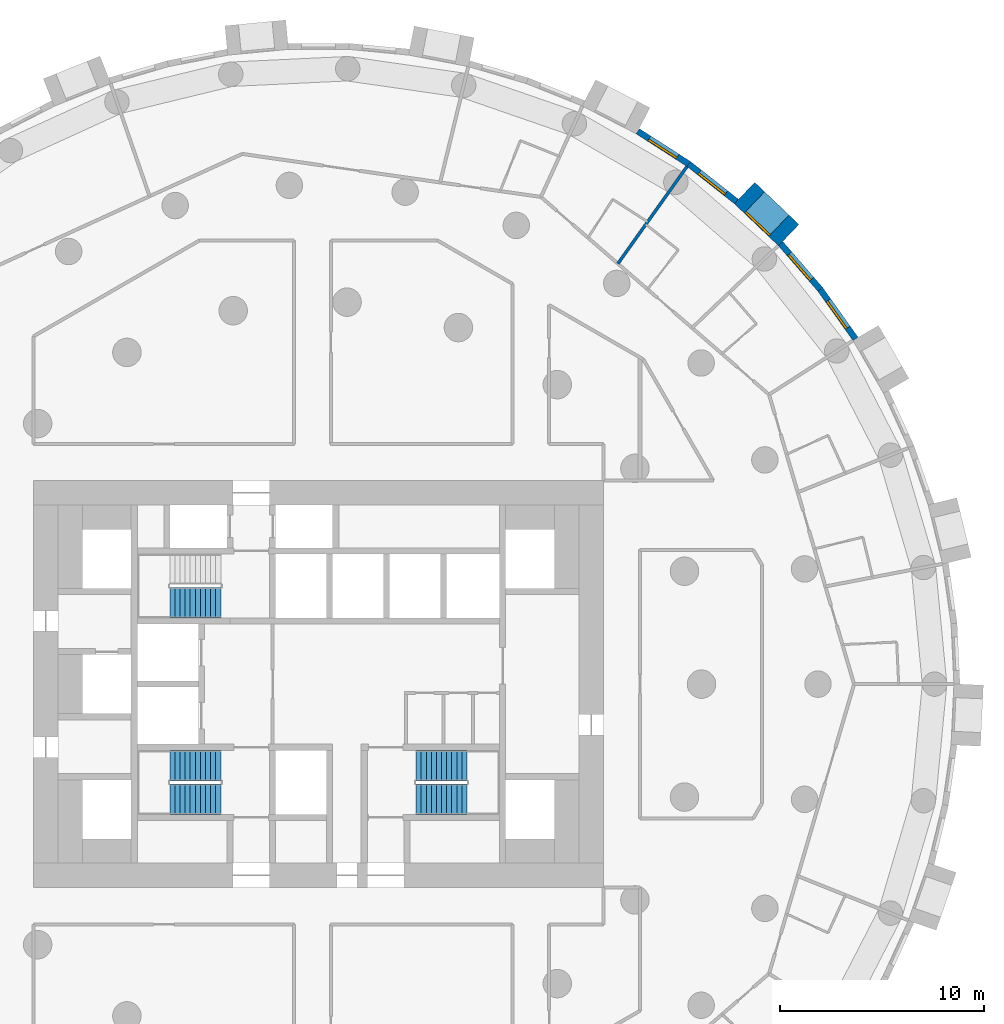
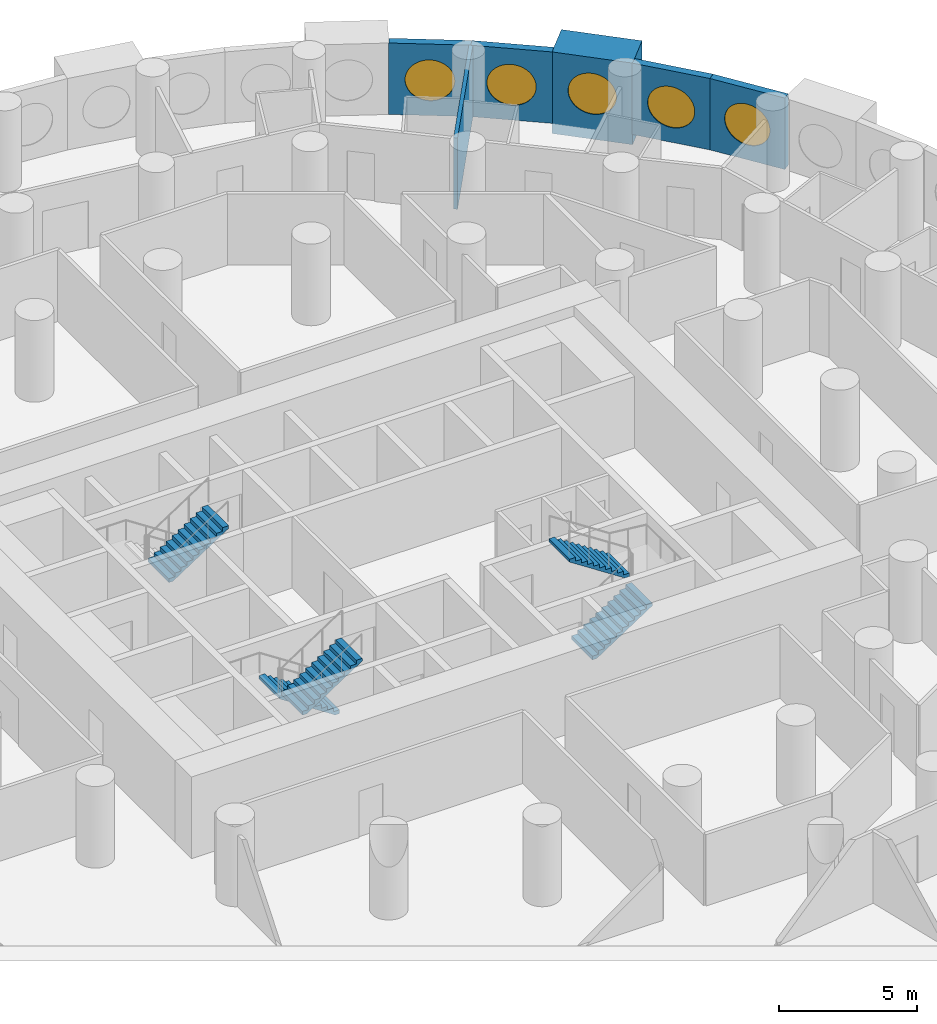
# One storey, part 10 of 12: 6 walls, 5 stair flights, 5 windows, 5 openings, 3 elements without a shape of their own.
"""IFC4 building model written with IfcOpenShell, lengths in metres."""

from ifc_helpers import new_model, si_unit, direction, frame, frame_2d, origin, origin_2d, place, context, subcontext, project, spatial, polyline, rectangle, circle, outline, extrude, material, layer, layer_set, type_object, element, fill, aggregate, save


model = new_model("IFC4")

# Units and contexts
model_context = context("Model", 3, precision=1e-05, world=origin(), true_north=direction((0.0, 1.0)))
body_context = subcontext(model_context, "Body", "Model", "MODEL_VIEW")
ifc_project = project(units=[si_unit("LENGTHUNIT", "METRE"), si_unit("AREAUNIT", "SQUARE_METRE"), si_unit("VOLUMEUNIT", "CUBIC_METRE"), si_unit("PLANEANGLEUNIT", "RADIAN"), si_unit("MASSUNIT", "GRAM", prefix="KILO")], contexts=[model_context])

# Site, building, storey
site_placement = place(None, origin())
site = spatial("IfcSite", under=ifc_project, at=site_placement, CompositionType="ELEMENT")
building_placement = place(site_placement, origin())
building = spatial("IfcBuilding", under=site, at=building_placement, Name="Tracery Tower", CompositionType="ELEMENT")
storey_placement = place(building_placement, frame((0.0, 0.0, 71.39990234375)))
storey = spatial("IfcBuildingStorey", under=building, at=storey_placement, Name="L17", CompositionType="ELEMENT", Elevation=71.39990234375)

# Wall, opening, window
ifc_material_1 = material(Name="Precast concrete C50/60", Category="concrete")
ifc_layer_1 = layer(ifc_material_1, 1.449951171875)
ifc_layer_set_1 = layer_set([ifc_layer_1], Name="Deep-set bay unit 3000 x 3600, slab edge 450")
wall_type_1 = type_object("IfcWallType", Name="Deep-set bay unit 3000 x 3600, slab edge 450", PredefinedType="ELEMENTEDWALL", material=ifc_layer_set_1)
wall_1_placement = place(storey_placement, frame((23.108642578125, 22.06201171875, -0.449951171875), z_axis=(0.0, 0.0, 1.0), x_axis=(-0.723712023899, 0.690102098579, 0.0)))
wall_1 = element("IfcWall", 1, at=wall_1_placement, inside=storey, type_object=wall_type_1, Name="Deep-set bay unit 9 at L17", PredefinedType="ELEMENTEDWALL", context=body_context, shape_type="SweptSolid", body=[
    extrude(rectangle(XDim=3.0, YDim=1.449951171875, at=frame_2d((1.5, 0.0))), origin(), (0.0, 0.0, 1.0), 3.60009765625),
])
opening_1_placement = place(wall_1_placement, frame((1.5, 0.0, 2.0)))
opening_1 = element("IfcOpeningElement", 2, at=opening_1_placement, cuts=wall_1, Name="Opening WN1", PredefinedType="OPENING", context=body_context, shape_type="SweptSolid", body=[
    extrude(circle(Radius=0.9000244140625, at=origin_2d()), frame((0.0, 0.73486328125, 0.0), z_axis=(0.0, -1.0, 0.0), x_axis=(1.0, 0.0, 0.0)), (0.0, 0.0, 1.0), 1.469970703125),
])
ifc_material_2 = material(Name="Aluminium frame with tinted double glazing", Category="aluminium")
window_type = type_object("IfcWindowType", Name="Round window 1800", PartitioningType="SINGLE_PANEL", PredefinedType="WINDOW", material=ifc_material_2)
window_1_placement = place(opening_1_placement, origin())
window_1 = element("IfcWindow", 3, at=window_1_placement, inside=storey, type_object=window_type, Name="Round window 9 at L17", OverallHeight=1.800048828125, OverallWidth=1.800048828125, PartitioningType="SINGLE_PANEL", PredefinedType="WINDOW", context=body_context, shape_type="SweptSolid", body=[
    extrude(circle(Radius=0.9000244140625, at=origin_2d()), frame((0.0, 0.69482421875, 0.0), z_axis=(0.0, -1.0, 0.0), x_axis=(1.0, 0.0, 0.0)), (0.0, 0.0, 1.0), 0.10009765625),
])
fill(opening_1, window_1)

ifc_material_3 = material(Name="Precast concrete C50/60", Category="concrete")
ifc_layer_2 = layer(ifc_material_3, 0.300048828125)
ifc_layer_set_2 = layer_set([ifc_layer_2], Name="Facade panel 3000 x 3150")
wall_type_2 = type_object("IfcWallType", Name="Facade panel 3000 x 3150", PredefinedType="SOLIDWALL", material=ifc_layer_set_2)
wall_2_placement = place(storey_placement, frame((26.390380859375, 16.96728515625, 0.0), z_axis=(0.0, 0.0, 1.0), x_axis=(-0.580113774115, 0.814535456, 0.0)))
wall_2 = element("IfcWall", 4, at=wall_2_placement, inside=storey, type_object=wall_type_2, Name="Facade panel 7 at L17", PredefinedType="SOLIDWALL", context=body_context, shape_type="SweptSolid", body=[
    extrude(rectangle(XDim=2.979736328125, YDim=0.300048828125, at=frame_2d((1.48974609375, 0.0))), origin(), (0.0, 0.0, 1.0), 3.150146484375),
])
opening_2_placement = place(wall_2_placement, frame((1.48974609375, 0.0, 1.5498046875)))
opening_2 = element("IfcOpeningElement", 5, at=opening_2_placement, cuts=wall_2, Name="Opening WN1", PredefinedType="OPENING", context=body_context, shape_type="SweptSolid", body=[
    extrude(circle(Radius=0.9000244140625, at=origin_2d()), frame((0.0, 0.159912109375, 0.0), z_axis=(0.0, -1.0, 0.0), x_axis=(1.0, 0.0, 0.0)), (0.0, 0.0, 1.0), 0.320068359375),
])
window_2_placement = place(opening_2_placement, origin())
window_2 = element("IfcWindow", 6, at=window_2_placement, inside=storey, type_object=window_type, Name="Round window 7 at L17", OverallHeight=1.800048828125, OverallWidth=1.800048828125, PartitioningType="SINGLE_PANEL", PredefinedType="WINDOW", context=body_context, shape_type="SweptSolid", body=[
    extrude(circle(Radius=0.9000244140625, at=origin_2d()), frame((0.0, 0.1201171875, 0.0), z_axis=(0.0, -1.0, 0.0), x_axis=(1.0, 0.0, 0.0)), (0.0, 0.0, 1.0), 0.10009765625),
])
fill(opening_2, window_2)

wall_3_placement = place(storey_placement, frame((24.661865234375, 19.394287109375, 0.0), z_axis=(0.0, 0.0, 1.0), x_axis=(-0.654830712471, 0.755775587066, 0.0)))
wall_3 = element("IfcWall", 7, at=wall_3_placement, inside=storey, type_object=wall_type_2, Name="Facade panel 8 at L17", PredefinedType="SOLIDWALL", context=body_context, shape_type="SweptSolid", body=[
    extrude(rectangle(XDim=2.979736328125, YDim=0.300048828125, at=frame_2d((1.48974609375, 0.0))), origin(), (0.0, 0.0, 1.0), 3.150146484375),
])
opening_3_placement = place(wall_3_placement, frame((1.48974609375, 0.0, 1.5498046875)))
opening_3 = element("IfcOpeningElement", 8, at=opening_3_placement, cuts=wall_3, Name="Opening WN1", PredefinedType="OPENING", context=body_context, shape_type="SweptSolid", body=[
    extrude(circle(Radius=0.9000244140625, at=origin_2d()), frame((0.0, 0.159912109375, 0.0), z_axis=(0.0, -1.0, 0.0), x_axis=(1.0, 0.0, 0.0)), (0.0, 0.0, 1.0), 0.320068359375),
])
window_3_placement = place(opening_3_placement, origin())
window_3 = element("IfcWindow", 9, at=window_3_placement, inside=storey, type_object=window_type, Name="Round window 8 at L17", OverallHeight=1.800048828125, OverallWidth=1.800048828125, PartitioningType="SINGLE_PANEL", PredefinedType="WINDOW", context=body_context, shape_type="SweptSolid", body=[
    extrude(circle(Radius=0.9000244140625, at=origin_2d()), frame((0.0, 0.1201171875, 0.0), z_axis=(0.0, -1.0, 0.0), x_axis=(1.0, 0.0, 0.0)), (0.0, 0.0, 1.0), 0.10009765625),
])
fill(opening_3, window_3)

wall_4_placement = place(storey_placement, frame((20.541015625, 23.715087890625, 0.0), z_axis=(0.0, 0.0, 1.0), x_axis=(-0.786053834673, 0.618158045322, 0.0)))
wall_4 = element("IfcWall", 10, at=wall_4_placement, inside=storey, type_object=wall_type_2, Name="Facade panel 10 at L17", PredefinedType="SOLIDWALL", context=body_context, shape_type="SweptSolid", body=[
    extrude(rectangle(XDim=2.9794921875, YDim=0.300048828125, at=frame_2d((1.48974609375, 0.0))), origin(), (0.0, 0.0, 1.0), 3.150146484375),
])
opening_4_placement = place(wall_4_placement, frame((1.48974609375, 0.0, 1.5498046875)))
opening_4 = element("IfcOpeningElement", 11, at=opening_4_placement, cuts=wall_4, Name="Opening WN1", PredefinedType="OPENING", context=body_context, shape_type="SweptSolid", body=[
    extrude(circle(Radius=0.9000244140625, at=origin_2d()), frame((0.0, 0.159912109375, 0.0), z_axis=(0.0, -1.0, 0.0), x_axis=(1.0, 0.0, 0.0)), (0.0, 0.0, 1.0), 0.320068359375),
])
window_4_placement = place(opening_4_placement, origin())
window_4 = element("IfcWindow", 12, at=window_4_placement, inside=storey, type_object=window_type, Name="Round window 10 at L17", OverallHeight=1.800048828125, OverallWidth=1.800048828125, PartitioningType="SINGLE_PANEL", PredefinedType="WINDOW", context=body_context, shape_type="SweptSolid", body=[
    extrude(circle(Radius=0.9000244140625, at=origin_2d()), frame((0.0, 0.1201171875, 0.0), z_axis=(0.0, -1.0, 0.0), x_axis=(1.0, 0.0, 0.0)), (0.0, 0.0, 1.0), 0.10009765625),
])
fill(opening_4, window_4)

wall_5_placement = place(storey_placement, frame((18.198974609375, 25.556884765625, 0.0), z_axis=(0.0, 0.0, 1.0), x_axis=(-0.841260995538, 0.54062920508, 0.0)))
wall_5 = element("IfcWall", 13, at=wall_5_placement, inside=storey, type_object=wall_type_2, Name="Facade panel 11 at L17", PredefinedType="SOLIDWALL", context=body_context, shape_type="SweptSolid", body=[
    extrude(rectangle(XDim=2.9794921875, YDim=0.300048828125, at=frame_2d((1.48974609375, 0.0))), origin(), (0.0, 0.0, 1.0), 3.150146484375),
])
opening_5_placement = place(wall_5_placement, frame((1.48974609375, 0.0, 1.5498046875)))
opening_5 = element("IfcOpeningElement", 14, at=opening_5_placement, cuts=wall_5, Name="Opening WN1", PredefinedType="OPENING", context=body_context, shape_type="SweptSolid", body=[
    extrude(circle(Radius=0.9000244140625, at=origin_2d()), frame((0.0, 0.159912109375, 0.0), z_axis=(0.0, -1.0, 0.0), x_axis=(1.0, 0.0, 0.0)), (0.0, 0.0, 1.0), 0.320068359375),
])
window_5_placement = place(opening_5_placement, origin())
window_5 = element("IfcWindow", 15, at=window_5_placement, inside=storey, type_object=window_type, Name="Round window 11 at L17", OverallHeight=1.800048828125, OverallWidth=1.800048828125, PartitioningType="SINGLE_PANEL", PredefinedType="WINDOW", context=body_context, shape_type="SweptSolid", body=[
    extrude(circle(Radius=0.9000244140625, at=origin_2d()), frame((0.0, 0.1201171875, 0.0), z_axis=(0.0, -1.0, 0.0), x_axis=(1.0, 0.0, 0.0)), (0.0, 0.0, 1.0), 0.10009765625),
])
fill(opening_5, window_5)

# Wall
ifc_material_4 = material(Name="Plasterboard on steel studs", Category="steel")
ifc_layer_3 = layer(ifc_material_4, 0.14990234375)
ifc_layer_set_3 = layer_set([ifc_layer_3], Name="Partition 150 acoustic unit wall")
wall_type_3 = type_object("IfcWallType", Name="Partition 150 acoustic unit wall", PredefinedType="PARTITIONING", material=ifc_layer_set_3)
wall_6_placement = place(storey_placement, frame((14.71533203125, 20.663818359375, 0.0), z_axis=(0.0, 0.0, 1.0), x_axis=(0.57995989616, 0.814645026282, 0.0)))
element("IfcWall", 16, at=wall_6_placement, inside=storey, type_object=wall_type_3, Name="Unit wall RA5-073", PredefinedType="PARTITIONING", context=body_context, shape_type="SweptSolid", body=[
    extrude(rectangle(XDim=5.85693359375, YDim=0.14990234375, at=frame_2d((2.928466796875, 0.0))), origin(), (0.0, 0.0, 1.0), 3.150146484375),
])

# Stair, stair flights
ifc_material_5 = material(Name="Concrete C32/40", Category="concrete")
stair_type = type_object("IfcStairType", Name="Core stair 22 risers", PredefinedType="HALF_TURN_STAIR", material=ifc_material_5)
stair_1_placement = place(storey_placement, origin())
stair_1 = element("IfcStair", 17, at=stair_1_placement, inside=storey, type_object=stair_type, Name="L17 stair ST1", PredefinedType="HALF_TURN_STAIR")
ifc_material_6 = material(Name="Concrete C32/40", Category="concrete")
stair_flight_type = type_object("IfcStairFlightType", Name="Core stair flight 11 risers", PredefinedType="STRAIGHT", material=ifc_material_6)
stair_flight_1_placement = place(storey_placement, frame((-4.800048828125, -4.0, 0.0), z_axis=(0.0, 0.0, 1.0), x_axis=(-1.0, 0.0, 0.0)))
stair_flight_1 = element("IfcStairFlight", 18, at=stair_flight_1_placement, type_object=stair_flight_type, Name="ST1 flight 1", NumberOfRisers=11, NumberOfTreads=10, PredefinedType="STRAIGHT", RiserHeight=0.163636364, TreadLength=0.25, context=body_context, shape_type="SweptSolid", body=[
    extrude(outline(polyline([(0.0, 0.0), (0.0, 0.002685546875), (0.0, 0.00537109375), (0.0, 0.008056640625), (0.0, 0.0107421875), (0.0, 0.013427734375), (0.0, 0.01611328125), (0.0, 0.018798828125), (0.0, 0.021484375), (0.0, 0.024169921875), (0.0, 0.02685546875), (0.0, 0.029541015625), (0.0, 0.0322265625), (0.0, 0.034912109375), (0.0, 0.03759765625), (0.0, 0.040283203125), (0.0, 0.04296875), (0.0, 0.045654296875), (0.0, 0.04833984375), (0.0, 0.051025390625), (0.0, 0.0537109375), (0.0, 0.056396484375), (0.0, 0.05908203125), (0.0, 0.061767578125), (0.0, 0.064453125), (0.0, 0.067138671875), (0.0, 0.06982421875), (0.0, 0.072509765625), (0.0, 0.0751953125), (0.0, 0.077880859375), (0.0, 0.08056640625), (0.0, 0.083251953125), (0.0, 0.0859375), (0.0, 0.088623046875), (0.0, 0.09130859375), (0.0, 0.093994140625), (0.0, 0.0966796875), (0.0, 0.099365234375), (0.0, 0.10205078125), (0.0, 0.104736328125), (0.0, 0.107421875), (0.0, 0.10986328125), (0.0, 0.112548828125), (0.0, 0.115234375), (0.0, 0.117919921875), (0.0, 0.12060546875), (0.0, 0.123291015625), (0.0, 0.1259765625), (0.0, 0.128662109375), (0.0, 0.13134765625), (0.0, 0.134033203125), (0.0, 0.13671875), (0.0, 0.139404296875), (0.0, 0.14208984375), (0.0, 0.144775390625), (0.0, 0.1474609375), (0.0, 0.150146484375), (0.0, 0.15283203125), (0.0, 0.155517578125), (0.0, 0.158203125), (0.0, 0.160888671875), (0.0, 0.16357421875), (0.25, 0.16357421875), (0.25, 0.327392578125), (0.5, 0.327392578125), (0.5, 0.490966796875), (0.75, 0.490966796875), (0.75, 0.654541015625), (1.0, 0.654541015625), (1.0, 0.818115234375), (1.25, 0.818115234375), (1.25, 0.98193359375), (1.5, 0.98193359375), (1.5, 1.1455078125), (1.75, 1.1455078125), (1.75, 1.30908203125), (2.0, 1.30908203125), (2.0, 1.47265625), (2.25, 1.47265625), (2.25, 1.636474609375), (2.5, 1.636474609375), (2.5, 1.634521484375), (2.5, 1.63232421875), (2.5, 1.63037109375), (2.5, 1.62841796875), (2.5, 1.62646484375), (2.5, 1.62451171875), (2.5, 1.62255859375), (2.5, 1.62060546875), (2.5, 1.61865234375), (2.5, 1.61669921875), (2.5, 1.61474609375), (2.5, 1.61279296875), (2.5, 1.61083984375), (2.5, 1.60888671875), (2.5, 1.60693359375), (2.5, 1.60498046875), (2.5, 1.60302734375), (2.5, 1.60107421875), (2.5, 1.59912109375), (2.5, 1.59716796875), (2.5, 1.59521484375), (2.5, 1.59326171875), (2.5, 1.59130859375), (2.5, 1.58935546875), (2.5, 1.58740234375), (2.5, 1.58544921875), (2.5, 1.58349609375), (2.5, 1.58154296875), (2.5, 1.57958984375), (2.5, 1.57763671875), (2.5, 1.57568359375), (2.5, 1.573486328125), (2.5, 1.571533203125), (2.5, 1.569580078125), (2.5, 1.567626953125), (2.5, 1.565673828125), (2.5, 1.563720703125), (2.5, 1.561767578125), (2.5, 1.559814453125), (2.5, 1.557861328125), (2.5, 1.555908203125), (2.5, 1.553955078125), (2.5, 1.552001953125), (2.5, 1.550048828125), (2.5, 1.548095703125), (2.5, 1.546142578125), (2.5, 1.544189453125), (2.5, 1.542236328125), (2.5, 1.540283203125), (2.5, 1.538330078125), (2.5, 1.536376953125), (2.5, 1.534423828125), (2.5, 1.532470703125), (2.5, 1.530517578125), (2.5, 1.528564453125), (2.5, 1.526611328125), (2.5, 1.524658203125), (2.5, 1.522705078125), (2.5, 1.520751953125), (2.5, 1.518798828125), (2.5, 1.516845703125), (0.182861328125, 0.0), (0.0, 0.0)])), frame((0.0, 0.75, 0.0), z_axis=(0.0, -1.0, 0.0), x_axis=(1.0, 0.0, 0.0)), (0.0, 0.0, 1.0), 1.5),
])
stair_flight_2_placement = place(storey_placement, frame((-7.300048828125, -5.64990234375, 1.800048828125), z_axis=(0.0, 0.0, 1.0), x_axis=(1.0, 0.0, 0.0)))
stair_flight_2 = element("IfcStairFlight", 19, at=stair_flight_2_placement, type_object=stair_flight_type, Name="ST1 flight 2", NumberOfRisers=11, NumberOfTreads=10, PredefinedType="STRAIGHT", RiserHeight=0.163636364, TreadLength=0.25, context=body_context, shape_type="SweptSolid", body=[
    extrude(outline(polyline([(0.0, 0.0), (0.0, 0.002685546875), (0.0, 0.00537109375), (0.0, 0.008056640625), (0.0, 0.0107421875), (0.0, 0.013427734375), (0.0, 0.01611328125), (0.0, 0.018798828125), (0.0, 0.021484375), (0.0, 0.024169921875), (0.0, 0.02685546875), (0.0, 0.029541015625), (0.0, 0.0322265625), (0.0, 0.034912109375), (0.0, 0.03759765625), (0.0, 0.040283203125), (0.0, 0.04296875), (0.0, 0.045654296875), (0.0, 0.04833984375), (0.0, 0.051025390625), (0.0, 0.0537109375), (0.0, 0.056396484375), (0.0, 0.05908203125), (0.0, 0.061767578125), (0.0, 0.064453125), (0.0, 0.067138671875), (0.0, 0.06982421875), (0.0, 0.072509765625), (0.0, 0.0751953125), (0.0, 0.077880859375), (0.0, 0.08056640625), (0.0, 0.083251953125), (0.0, 0.0859375), (0.0, 0.088623046875), (0.0, 0.09130859375), (0.0, 0.093994140625), (0.0, 0.0966796875), (0.0, 0.099365234375), (0.0, 0.10205078125), (0.0, 0.104736328125), (0.0, 0.107421875), (0.0, 0.10986328125), (0.0, 0.112548828125), (0.0, 0.115234375), (0.0, 0.117919921875), (0.0, 0.12060546875), (0.0, 0.123291015625), (0.0, 0.1259765625), (0.0, 0.128662109375), (0.0, 0.13134765625), (0.0, 0.134033203125), (0.0, 0.13671875), (0.0, 0.139404296875), (0.0, 0.14208984375), (0.0, 0.144775390625), (0.0, 0.1474609375), (0.0, 0.150146484375), (0.0, 0.15283203125), (0.0, 0.155517578125), (0.0, 0.158203125), (0.0, 0.160888671875), (0.0, 0.16357421875), (0.25, 0.16357421875), (0.25, 0.327392578125), (0.5, 0.327392578125), (0.5, 0.490966796875), (0.75, 0.490966796875), (0.75, 0.654541015625), (1.0, 0.654541015625), (1.0, 0.818115234375), (1.25, 0.818115234375), (1.25, 0.98193359375), (1.5, 0.98193359375), (1.5, 1.1455078125), (1.75, 1.1455078125), (1.75, 1.30908203125), (2.0, 1.30908203125), (2.0, 1.47265625), (2.25, 1.47265625), (2.25, 1.636474609375), (2.5, 1.636474609375), (2.5, 1.634521484375), (2.5, 1.63232421875), (2.5, 1.63037109375), (2.5, 1.62841796875), (2.5, 1.62646484375), (2.5, 1.62451171875), (2.5, 1.62255859375), (2.5, 1.62060546875), (2.5, 1.61865234375), (2.5, 1.61669921875), (2.5, 1.61474609375), (2.5, 1.61279296875), (2.5, 1.61083984375), (2.5, 1.60888671875), (2.5, 1.60693359375), (2.5, 1.60498046875), (2.5, 1.60302734375), (2.5, 1.60107421875), (2.5, 1.59912109375), (2.5, 1.59716796875), (2.5, 1.59521484375), (2.5, 1.59326171875), (2.5, 1.59130859375), (2.5, 1.58935546875), (2.5, 1.58740234375), (2.5, 1.58544921875), (2.5, 1.58349609375), (2.5, 1.58154296875), (2.5, 1.57958984375), (2.5, 1.57763671875), (2.5, 1.57568359375), (2.5, 1.573486328125), (2.5, 1.571533203125), (2.5, 1.569580078125), (2.5, 1.567626953125), (2.5, 1.565673828125), (2.5, 1.563720703125), (2.5, 1.561767578125), (2.5, 1.559814453125), (2.5, 1.557861328125), (2.5, 1.555908203125), (2.5, 1.553955078125), (2.5, 1.552001953125), (2.5, 1.550048828125), (2.5, 1.548095703125), (2.5, 1.546142578125), (2.5, 1.544189453125), (2.5, 1.542236328125), (2.5, 1.540283203125), (2.5, 1.538330078125), (2.5, 1.536376953125), (2.5, 1.534423828125), (2.5, 1.532470703125), (2.5, 1.530517578125), (2.5, 1.528564453125), (2.5, 1.526611328125), (2.5, 1.524658203125), (2.5, 1.522705078125), (2.5, 1.520751953125), (2.5, 1.518798828125), (2.5, 1.516845703125), (0.182861328125, 0.0), (0.0, 0.0)])), frame((0.0, 0.75, 0.0), z_axis=(0.0, -1.0, 0.0), x_axis=(1.0, 0.0, 0.0)), (0.0, 0.0, 1.0), 1.5),
])
aggregate(stair_1, [stair_flight_1, stair_flight_2])

# Stair, stair flight
stair_2_placement = place(storey_placement, origin())
stair_2 = element("IfcStair", 20, at=stair_2_placement, inside=storey, type_object=stair_type, Name="L17 stair ST3", PredefinedType="HALF_TURN_STAIR")
stair_flight_3_placement = place(storey_placement, frame((-7.300048828125, 4.0, 1.800048828125), z_axis=(0.0, 0.0, 1.0), x_axis=(1.0, 0.0, 0.0)))
stair_flight_3 = element("IfcStairFlight", 21, at=stair_flight_3_placement, type_object=stair_flight_type, Name="ST3 flight 2", NumberOfRisers=11, NumberOfTreads=10, PredefinedType="STRAIGHT", RiserHeight=0.163636364, TreadLength=0.25, context=body_context, shape_type="SweptSolid", body=[
    extrude(outline(polyline([(0.0, 0.0), (0.0, 0.002685546875), (0.0, 0.00537109375), (0.0, 0.008056640625), (0.0, 0.0107421875), (0.0, 0.013427734375), (0.0, 0.01611328125), (0.0, 0.018798828125), (0.0, 0.021484375), (0.0, 0.024169921875), (0.0, 0.02685546875), (0.0, 0.029541015625), (0.0, 0.0322265625), (0.0, 0.034912109375), (0.0, 0.03759765625), (0.0, 0.040283203125), (0.0, 0.04296875), (0.0, 0.045654296875), (0.0, 0.04833984375), (0.0, 0.051025390625), (0.0, 0.0537109375), (0.0, 0.056396484375), (0.0, 0.05908203125), (0.0, 0.061767578125), (0.0, 0.064453125), (0.0, 0.067138671875), (0.0, 0.06982421875), (0.0, 0.072509765625), (0.0, 0.0751953125), (0.0, 0.077880859375), (0.0, 0.08056640625), (0.0, 0.083251953125), (0.0, 0.0859375), (0.0, 0.088623046875), (0.0, 0.09130859375), (0.0, 0.093994140625), (0.0, 0.0966796875), (0.0, 0.099365234375), (0.0, 0.10205078125), (0.0, 0.104736328125), (0.0, 0.107421875), (0.0, 0.10986328125), (0.0, 0.112548828125), (0.0, 0.115234375), (0.0, 0.117919921875), (0.0, 0.12060546875), (0.0, 0.123291015625), (0.0, 0.1259765625), (0.0, 0.128662109375), (0.0, 0.13134765625), (0.0, 0.134033203125), (0.0, 0.13671875), (0.0, 0.139404296875), (0.0, 0.14208984375), (0.0, 0.144775390625), (0.0, 0.1474609375), (0.0, 0.150146484375), (0.0, 0.15283203125), (0.0, 0.155517578125), (0.0, 0.158203125), (0.0, 0.160888671875), (0.0, 0.16357421875), (0.25, 0.16357421875), (0.25, 0.327392578125), (0.5, 0.327392578125), (0.5, 0.490966796875), (0.75, 0.490966796875), (0.75, 0.654541015625), (1.0, 0.654541015625), (1.0, 0.818115234375), (1.25, 0.818115234375), (1.25, 0.98193359375), (1.5, 0.98193359375), (1.5, 1.1455078125), (1.75, 1.1455078125), (1.75, 1.30908203125), (2.0, 1.30908203125), (2.0, 1.47265625), (2.25, 1.47265625), (2.25, 1.636474609375), (2.5, 1.636474609375), (2.5, 1.634521484375), (2.5, 1.63232421875), (2.5, 1.63037109375), (2.5, 1.62841796875), (2.5, 1.62646484375), (2.5, 1.62451171875), (2.5, 1.62255859375), (2.5, 1.62060546875), (2.5, 1.61865234375), (2.5, 1.61669921875), (2.5, 1.61474609375), (2.5, 1.61279296875), (2.5, 1.61083984375), (2.5, 1.60888671875), (2.5, 1.60693359375), (2.5, 1.60498046875), (2.5, 1.60302734375), (2.5, 1.60107421875), (2.5, 1.59912109375), (2.5, 1.59716796875), (2.5, 1.59521484375), (2.5, 1.59326171875), (2.5, 1.59130859375), (2.5, 1.58935546875), (2.5, 1.58740234375), (2.5, 1.58544921875), (2.5, 1.58349609375), (2.5, 1.58154296875), (2.5, 1.57958984375), (2.5, 1.57763671875), (2.5, 1.57568359375), (2.5, 1.573486328125), (2.5, 1.571533203125), (2.5, 1.569580078125), (2.5, 1.567626953125), (2.5, 1.565673828125), (2.5, 1.563720703125), (2.5, 1.561767578125), (2.5, 1.559814453125), (2.5, 1.557861328125), (2.5, 1.555908203125), (2.5, 1.553955078125), (2.5, 1.552001953125), (2.5, 1.550048828125), (2.5, 1.548095703125), (2.5, 1.546142578125), (2.5, 1.544189453125), (2.5, 1.542236328125), (2.5, 1.540283203125), (2.5, 1.538330078125), (2.5, 1.536376953125), (2.5, 1.534423828125), (2.5, 1.532470703125), (2.5, 1.530517578125), (2.5, 1.528564453125), (2.5, 1.526611328125), (2.5, 1.524658203125), (2.5, 1.522705078125), (2.5, 1.520751953125), (2.5, 1.518798828125), (2.5, 1.516845703125), (0.182861328125, 0.0), (0.0, 0.0)])), frame((0.0, 0.75, 0.0), z_axis=(0.0, -1.0, 0.0), x_axis=(1.0, 0.0, 0.0)), (0.0, 0.0, 1.0), 1.5),
])
aggregate(stair_2, [stair_flight_3])

# Stair, stair flights
stair_3_placement = place(storey_placement, origin())
stair_3 = element("IfcStair", 22, at=stair_3_placement, inside=storey, type_object=stair_type, Name="L17 stair ST2", PredefinedType="HALF_TURN_STAIR")
stair_flight_4_placement = place(storey_placement, frame((4.800048828125, -5.64990234375, 0.0), z_axis=(0.0, 0.0, 1.0), x_axis=(1.0, 0.0, 0.0)))
stair_flight_4 = element("IfcStairFlight", 23, at=stair_flight_4_placement, type_object=stair_flight_type, Name="ST2 flight 1", NumberOfRisers=11, NumberOfTreads=10, PredefinedType="STRAIGHT", RiserHeight=0.163636364, TreadLength=0.25, context=body_context, shape_type="SweptSolid", body=[
    extrude(outline(polyline([(0.0, 0.0), (0.0, 0.002685546875), (0.0, 0.00537109375), (0.0, 0.008056640625), (0.0, 0.0107421875), (0.0, 0.013427734375), (0.0, 0.01611328125), (0.0, 0.018798828125), (0.0, 0.021484375), (0.0, 0.024169921875), (0.0, 0.02685546875), (0.0, 0.029541015625), (0.0, 0.0322265625), (0.0, 0.034912109375), (0.0, 0.03759765625), (0.0, 0.040283203125), (0.0, 0.04296875), (0.0, 0.045654296875), (0.0, 0.04833984375), (0.0, 0.051025390625), (0.0, 0.0537109375), (0.0, 0.056396484375), (0.0, 0.05908203125), (0.0, 0.061767578125), (0.0, 0.064453125), (0.0, 0.067138671875), (0.0, 0.06982421875), (0.0, 0.072509765625), (0.0, 0.0751953125), (0.0, 0.077880859375), (0.0, 0.08056640625), (0.0, 0.083251953125), (0.0, 0.0859375), (0.0, 0.088623046875), (0.0, 0.09130859375), (0.0, 0.093994140625), (0.0, 0.0966796875), (0.0, 0.099365234375), (0.0, 0.10205078125), (0.0, 0.104736328125), (0.0, 0.107421875), (0.0, 0.10986328125), (0.0, 0.112548828125), (0.0, 0.115234375), (0.0, 0.117919921875), (0.0, 0.12060546875), (0.0, 0.123291015625), (0.0, 0.1259765625), (0.0, 0.128662109375), (0.0, 0.13134765625), (0.0, 0.134033203125), (0.0, 0.13671875), (0.0, 0.139404296875), (0.0, 0.14208984375), (0.0, 0.144775390625), (0.0, 0.1474609375), (0.0, 0.150146484375), (0.0, 0.15283203125), (0.0, 0.155517578125), (0.0, 0.158203125), (0.0, 0.160888671875), (0.0, 0.16357421875), (0.25, 0.16357421875), (0.25, 0.327392578125), (0.5, 0.327392578125), (0.5, 0.490966796875), (0.75, 0.490966796875), (0.75, 0.654541015625), (1.0, 0.654541015625), (1.0, 0.818115234375), (1.25, 0.818115234375), (1.25, 0.98193359375), (1.5, 0.98193359375), (1.5, 1.1455078125), (1.75, 1.1455078125), (1.75, 1.30908203125), (2.0, 1.30908203125), (2.0, 1.47265625), (2.25, 1.47265625), (2.25, 1.636474609375), (2.5, 1.636474609375), (2.5, 1.634521484375), (2.5, 1.63232421875), (2.5, 1.63037109375), (2.5, 1.62841796875), (2.5, 1.62646484375), (2.5, 1.62451171875), (2.5, 1.62255859375), (2.5, 1.62060546875), (2.5, 1.61865234375), (2.5, 1.61669921875), (2.5, 1.61474609375), (2.5, 1.61279296875), (2.5, 1.61083984375), (2.5, 1.60888671875), (2.5, 1.60693359375), (2.5, 1.60498046875), (2.5, 1.60302734375), (2.5, 1.60107421875), (2.5, 1.59912109375), (2.5, 1.59716796875), (2.5, 1.59521484375), (2.5, 1.59326171875), (2.5, 1.59130859375), (2.5, 1.58935546875), (2.5, 1.58740234375), (2.5, 1.58544921875), (2.5, 1.58349609375), (2.5, 1.58154296875), (2.5, 1.57958984375), (2.5, 1.57763671875), (2.5, 1.57568359375), (2.5, 1.573486328125), (2.5, 1.571533203125), (2.5, 1.569580078125), (2.5, 1.567626953125), (2.5, 1.565673828125), (2.5, 1.563720703125), (2.5, 1.561767578125), (2.5, 1.559814453125), (2.5, 1.557861328125), (2.5, 1.555908203125), (2.5, 1.553955078125), (2.5, 1.552001953125), (2.5, 1.550048828125), (2.5, 1.548095703125), (2.5, 1.546142578125), (2.5, 1.544189453125), (2.5, 1.542236328125), (2.5, 1.540283203125), (2.5, 1.538330078125), (2.5, 1.536376953125), (2.5, 1.534423828125), (2.5, 1.532470703125), (2.5, 1.530517578125), (2.5, 1.528564453125), (2.5, 1.526611328125), (2.5, 1.524658203125), (2.5, 1.522705078125), (2.5, 1.520751953125), (2.5, 1.518798828125), (2.5, 1.516845703125), (0.182861328125, 0.0), (0.0, 0.0)])), frame((0.0, 0.75, 0.0), z_axis=(0.0, -1.0, 0.0), x_axis=(1.0, 0.0, 0.0)), (0.0, 0.0, 1.0), 1.5),
])
stair_flight_5_placement = place(storey_placement, frame((7.300048828125, -4.0, 1.800048828125), z_axis=(0.0, 0.0, 1.0), x_axis=(-1.0, 0.0, 0.0)))
stair_flight_5 = element("IfcStairFlight", 24, at=stair_flight_5_placement, type_object=stair_flight_type, Name="ST2 flight 2", NumberOfRisers=11, NumberOfTreads=10, PredefinedType="STRAIGHT", RiserHeight=0.163636364, TreadLength=0.25, context=body_context, shape_type="SweptSolid", body=[
    extrude(outline(polyline([(0.0, 0.0), (0.0, 0.002685546875), (0.0, 0.00537109375), (0.0, 0.008056640625), (0.0, 0.0107421875), (0.0, 0.013427734375), (0.0, 0.01611328125), (0.0, 0.018798828125), (0.0, 0.021484375), (0.0, 0.024169921875), (0.0, 0.02685546875), (0.0, 0.029541015625), (0.0, 0.0322265625), (0.0, 0.034912109375), (0.0, 0.03759765625), (0.0, 0.040283203125), (0.0, 0.04296875), (0.0, 0.045654296875), (0.0, 0.04833984375), (0.0, 0.051025390625), (0.0, 0.0537109375), (0.0, 0.056396484375), (0.0, 0.05908203125), (0.0, 0.061767578125), (0.0, 0.064453125), (0.0, 0.067138671875), (0.0, 0.06982421875), (0.0, 0.072509765625), (0.0, 0.0751953125), (0.0, 0.077880859375), (0.0, 0.08056640625), (0.0, 0.083251953125), (0.0, 0.0859375), (0.0, 0.088623046875), (0.0, 0.09130859375), (0.0, 0.093994140625), (0.0, 0.0966796875), (0.0, 0.099365234375), (0.0, 0.10205078125), (0.0, 0.104736328125), (0.0, 0.107421875), (0.0, 0.10986328125), (0.0, 0.112548828125), (0.0, 0.115234375), (0.0, 0.117919921875), (0.0, 0.12060546875), (0.0, 0.123291015625), (0.0, 0.1259765625), (0.0, 0.128662109375), (0.0, 0.13134765625), (0.0, 0.134033203125), (0.0, 0.13671875), (0.0, 0.139404296875), (0.0, 0.14208984375), (0.0, 0.144775390625), (0.0, 0.1474609375), (0.0, 0.150146484375), (0.0, 0.15283203125), (0.0, 0.155517578125), (0.0, 0.158203125), (0.0, 0.160888671875), (0.0, 0.16357421875), (0.25, 0.16357421875), (0.25, 0.327392578125), (0.5, 0.327392578125), (0.5, 0.490966796875), (0.75, 0.490966796875), (0.75, 0.654541015625), (1.0, 0.654541015625), (1.0, 0.818115234375), (1.25, 0.818115234375), (1.25, 0.98193359375), (1.5, 0.98193359375), (1.5, 1.1455078125), (1.75, 1.1455078125), (1.75, 1.30908203125), (2.0, 1.30908203125), (2.0, 1.47265625), (2.25, 1.47265625), (2.25, 1.636474609375), (2.5, 1.636474609375), (2.5, 1.634521484375), (2.5, 1.63232421875), (2.5, 1.63037109375), (2.5, 1.62841796875), (2.5, 1.62646484375), (2.5, 1.62451171875), (2.5, 1.62255859375), (2.5, 1.62060546875), (2.5, 1.61865234375), (2.5, 1.61669921875), (2.5, 1.61474609375), (2.5, 1.61279296875), (2.5, 1.61083984375), (2.5, 1.60888671875), (2.5, 1.60693359375), (2.5, 1.60498046875), (2.5, 1.60302734375), (2.5, 1.60107421875), (2.5, 1.59912109375), (2.5, 1.59716796875), (2.5, 1.59521484375), (2.5, 1.59326171875), (2.5, 1.59130859375), (2.5, 1.58935546875), (2.5, 1.58740234375), (2.5, 1.58544921875), (2.5, 1.58349609375), (2.5, 1.58154296875), (2.5, 1.57958984375), (2.5, 1.57763671875), (2.5, 1.57568359375), (2.5, 1.573486328125), (2.5, 1.571533203125), (2.5, 1.569580078125), (2.5, 1.567626953125), (2.5, 1.565673828125), (2.5, 1.563720703125), (2.5, 1.561767578125), (2.5, 1.559814453125), (2.5, 1.557861328125), (2.5, 1.555908203125), (2.5, 1.553955078125), (2.5, 1.552001953125), (2.5, 1.550048828125), (2.5, 1.548095703125), (2.5, 1.546142578125), (2.5, 1.544189453125), (2.5, 1.542236328125), (2.5, 1.540283203125), (2.5, 1.538330078125), (2.5, 1.536376953125), (2.5, 1.534423828125), (2.5, 1.532470703125), (2.5, 1.530517578125), (2.5, 1.528564453125), (2.5, 1.526611328125), (2.5, 1.524658203125), (2.5, 1.522705078125), (2.5, 1.520751953125), (2.5, 1.518798828125), (2.5, 1.516845703125), (0.182861328125, 0.0), (0.0, 0.0)])), frame((0.0, 0.75, 0.0), z_axis=(0.0, -1.0, 0.0), x_axis=(1.0, 0.0, 0.0)), (0.0, 0.0, 1.0), 1.5),
])
aggregate(stair_3, [stair_flight_4, stair_flight_5])

save(model, "model.ifc")
